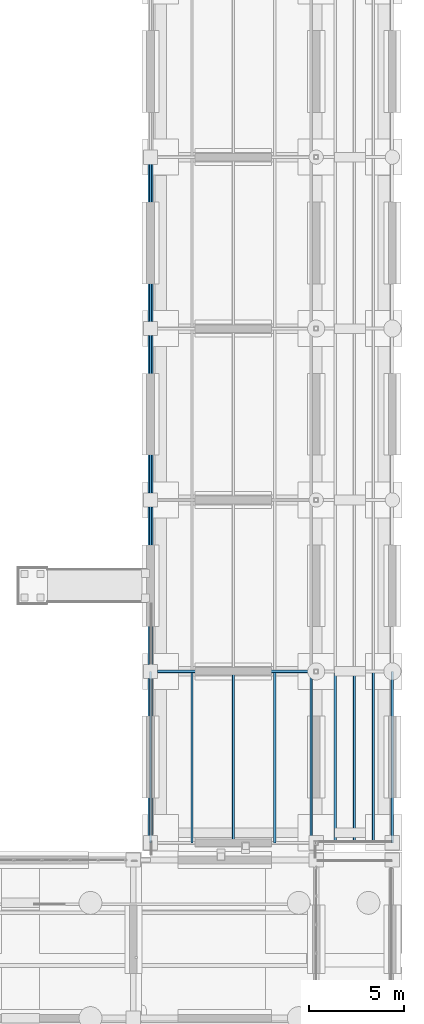
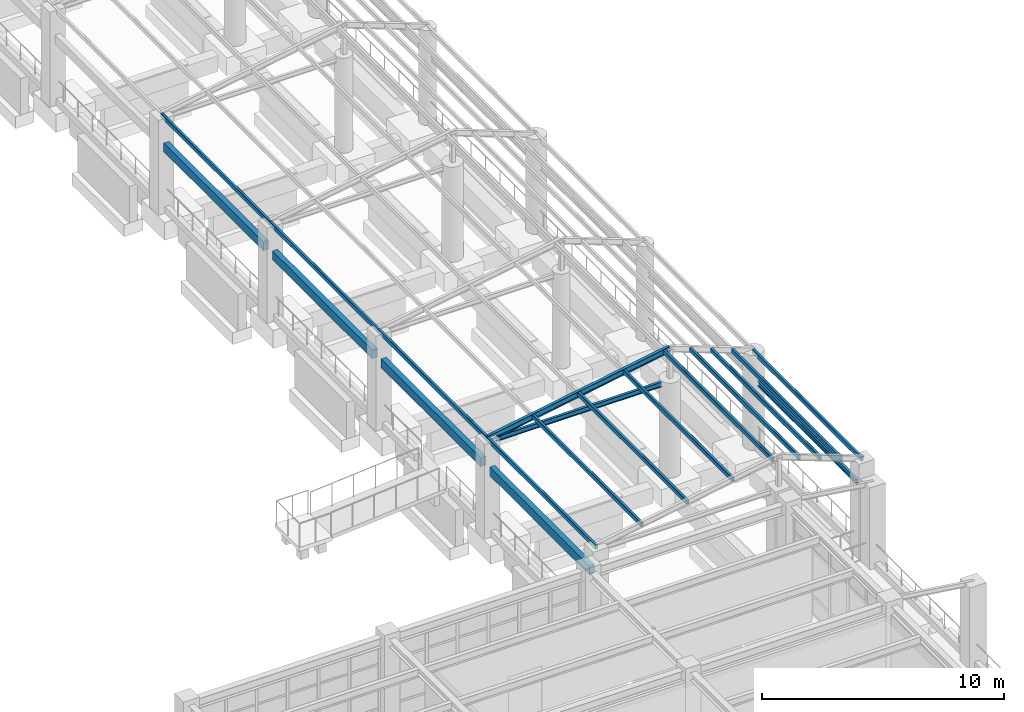
# One storey, part 58 of 111: 13 members, 6 beams.
"""IFC4 building model written with IfcOpenShell, lengths in metres."""

from ifc_helpers import new_model, si_unit, direction, frame, origin, origin_2d, place, context, subcontext, project, spatial, rectangle, hollow_rectangle, i_section, extrude, material, material_profile, profile_set, type_object, element, save


model = new_model("IFC4")

# Units and contexts
model_context = context("Model", 3, precision=1e-05, world=origin(), true_north=direction((0.0, 1.0)))
body_context = subcontext(model_context, "Body", "Model", "MODEL_VIEW")
ifc_project = project(units=[si_unit("LENGTHUNIT", "METRE"), si_unit("AREAUNIT", "SQUARE_METRE"), si_unit("VOLUMEUNIT", "CUBIC_METRE"), si_unit("PLANEANGLEUNIT", "RADIAN"), si_unit("MASSUNIT", "GRAM", prefix="KILO")], contexts=[model_context])

# Site, building, storey
site_placement = place(None, origin())
site = spatial("IfcSite", under=ifc_project, at=site_placement, CompositionType="ELEMENT")
building_placement = place(site_placement, origin())
building = spatial("IfcBuilding", under=site, at=building_placement, Name="Canglan Escarpment Cableway Terminal", CompositionType="ELEMENT")
storey_placement = place(building_placement, frame((0.0, 0.0, 4.800048828125)))
storey = spatial("IfcBuildingStorey", under=building, at=storey_placement, Name="L01", CompositionType="ELEMENT", Elevation=4.800048828125)

# Beams
ifc_material_1 = material(Name="Steel Q355B", Category="steel")
ifc_material_profile_1 = material_profile(ifc_material_1, i_section(OverallWidth=0.125, OverallDepth=0.25, WebThickness=0.006103515625, FlangeThickness=0.009033203125, FilletRadius=0.011962890625, at=origin_2d()), Name="HN 250x125x6x9")
ifc_profile_set_1 = profile_set([ifc_material_profile_1], Name="Steel Q355B")
beam_type_1 = type_object("IfcBeamType", Name="BM-CANOPY-HN250", PredefinedType="BEAM", material=ifc_profile_set_1)
beam_1_placement = place(storey_placement, frame((167.675048828125, 43.0, 4.599853515625), z_axis=(1.0, 0.0, 0.0), x_axis=(0.0, 1.0, 0.0)))
element("IfcBeam", 1, at=beam_1_placement, inside=storey, type_object=beam_type_1, Name="Colonnade tie beam RF-B3", PredefinedType="BEAM", context=body_context, shape_type="SweptSolid", body=[
    extrude(i_section(OverallWidth=0.125, OverallDepth=0.25, WebThickness=0.006103515625, FlangeThickness=0.009033203125, FilletRadius=0.011962890625, at=origin_2d()), origin(), (0.0, 0.0, 1.0), 7.949951171875),
])
ifc_material_profile_2 = material_profile(ifc_material_1, i_section(OverallWidth=0.125, OverallDepth=0.25, WebThickness=0.006103515625, FlangeThickness=0.009033203125, FilletRadius=0.011962890625, at=origin_2d()), Name="HN 250x125x6x9")
ifc_profile_set_2 = profile_set([ifc_material_profile_2], Name="Steel Q355B")
beam_type_2 = type_object("IfcBeamType", Name="LN-HN250", PredefinedType="LINTEL", material=ifc_profile_set_2)
beam_2_placement = place(storey_placement, frame((180.0, 34.3701171875, 3.349853515625), z_axis=(0.0, 1.0, 0.0), x_axis=(-1.0, 0.0, 0.0)))
element("IfcBeam", 2, at=beam_2_placement, inside=storey, type_object=beam_type_2, Name="Classical colonnade architrave lintel beam", PredefinedType="LINTEL", context=body_context, shape_type="SweptSolid", body=[
    extrude(i_section(OverallWidth=0.125, OverallDepth=0.25, WebThickness=0.006103515625, FlangeThickness=0.009033203125, FilletRadius=0.011962890625, at=origin_2d()), origin(), (0.0, 0.0, 1.0), 8.259765625),
])
ifc_material_2 = material(Name="Concrete C40", Category="concrete")
ifc_material_profile_3 = material_profile(ifc_material_2, rectangle(XDim=0.25, YDim=0.449951171875, at=origin_2d()), Name="RC 250x450")
ifc_profile_set_3 = profile_set([ifc_material_profile_3], Name="Concrete C40")
beam_type_3 = type_object("IfcBeamType", Name="LN-RC250x450", PredefinedType="LINTEL", material=ifc_profile_set_3)
for number, where, z_axis, x_axis, name in (
    (3, (167.300048828125, 34.3701171875, 3.349853515625), (0.0, 1.0, 0.0), (-1.0, 0.0, 0.0), "Classical colonnade architrave lintel beam"),
    (4, (167.300048828125, 43.3701171875, 3.349853515625), (0.0, 1.0, 0.0), (-1.0, 0.0, 0.0), "Classical colonnade architrave lintel beam"),
    (5, (167.300048828125, 52.3701171875, 3.349853515625), (0.0, 1.0, 0.0), (-1.0, 0.0, 0.0), "Classical colonnade architrave lintel beam"),
    (6, (167.300048828125, 61.3701171875, 3.349853515625), (0.0, 1.0, 0.0), (-1.0, 0.0, 0.0), "Classical colonnade architrave lintel beam"),
):
    element("IfcBeam", number, at=place(storey_placement, frame(where, z_axis=z_axis, x_axis=x_axis)), inside=storey, type_object=beam_type_3, Name=name, PredefinedType="LINTEL", context=body_context, shape_type="SweptSolid", body=[
        extrude(rectangle(XDim=0.25, YDim=0.449951171875, at=origin_2d()), origin(), (0.0, 0.0, 1.0), 8.259765625),
    ])

# Members
ifc_material_profile_4 = material_profile(ifc_material_1, i_section(OverallWidth=0.14990234375, OverallDepth=0.300048828125, WebThickness=0.006591796875, FlangeThickness=0.009033203125, FilletRadius=0.012939453125, at=origin_2d()), Name="HN 300x150x6.5x9")
ifc_profile_set_4 = profile_set([ifc_material_profile_4], Name="Steel Q355B")
member_type_1 = type_object("IfcMemberType", Name="MB-COL-RAFT-HN300", PredefinedType="RAFTER", material=ifc_profile_set_4)
member_placement = place(storey_placement, frame((167.300048828125, 43.0, 4.75), z_axis=(0.985459956077, 0.0, 0.169907842574), x_axis=(0.0, 1.0, 0.0)))
element("IfcMember", 7, at=member_placement, inside=storey, type_object=member_type_1, Name="Colonnade pitched rafter RF-R01", PredefinedType="RAFTER", context=body_context, shape_type="SweptSolid", body=[
    extrude(i_section(OverallWidth=0.14990234375, OverallDepth=0.300048828125, WebThickness=0.006591796875, FlangeThickness=0.009033203125, FilletRadius=0.012939453125, at=origin_2d()), origin(), (0.0, 0.0, 1.0), 8.828369140625),
])
ifc_material_profile_5 = material_profile(ifc_material_1, hollow_rectangle(XDim=0.1201171875, YDim=0.219970703125, WallThickness=0.006103515625, InnerFilletRadius=0.006103515625, OuterFilletRadius=0.011962890625, at=origin_2d()), Name="RHS 220x120x6")
ifc_profile_set_5 = profile_set([ifc_material_profile_5], Name="Steel Q355B")
member_type_2 = type_object("IfcMemberType", Name="MB-PAV-PUR-RHS220", PredefinedType="PURLIN", material=ifc_profile_set_5)
for number, where, z_axis, x_axis, name in (
    (8, (167.300048828125, 34.0, 4.719970703125), (0.0, 1.0, 0.0), (-1.0, 0.0, 0.0), "Colonnade canopy purlin PR-03"),
    (9, (167.300048828125, 43.0, 4.719970703125), (0.0, 1.0, 0.0), (-1.0, 0.0, 0.0), "Colonnade canopy purlin PR-03"),
    (10, (167.300048828125, 52.0, 4.719970703125), (0.0, 1.0, 0.0), (-1.0, 0.0, 0.0), "Colonnade canopy purlin PR-03"),
    (11, (167.300048828125, 61.0, 4.719970703125), (0.0, 1.0, 0.0), (-1.0, 0.0, 0.0), "Colonnade canopy purlin PR-03"),
    (12, (169.47509765625, 34.0, 5.094970703125), (0.0, 1.0, 0.0), (-1.0, 0.0, 0.0), "Colonnade canopy purlin PR-03"),
    (13, (171.64990234375, 34.0, 5.469970703125), (0.0, 1.0, 0.0), (-1.0, 0.0, 0.0), "Colonnade canopy purlin PR-03"),
    (14, (173.824951171875, 34.0, 5.844970703125), (0.0, 1.0, 0.0), (-1.0, 0.0, 0.0), "Colonnade canopy purlin PR-03"),
    (15, (175.739013671875, 34.0, 6.175048828125), (0.0, 1.0, 0.0), (-1.0, 0.0, 0.0), "Colonnade canopy purlin PR-03"),
    (16, (177.0, 34.0, 5.844970703125), (0.0, 1.0, 0.0), (-1.0, 0.0, 0.0), "Colonnade canopy purlin PR-03"),
    (17, (178.0, 34.0, 5.469970703125), (0.0, 1.0, 0.0), (-1.0, 0.0, 0.0), "Colonnade canopy purlin PR-03"),
    (18, (179.0, 34.0, 5.094970703125), (0.0, 1.0, 0.0), (-1.0, 0.0, 0.0), "Colonnade canopy purlin PR-03"),
    (19, (180.0, 34.0, 4.719970703125), (0.0, 1.0, 0.0), (-1.0, 0.0, 0.0), "Colonnade canopy purlin PR-03"),
):
    element("IfcMember", number, at=place(storey_placement, frame(where, z_axis=z_axis, x_axis=x_axis)), inside=storey, type_object=member_type_2, Name=name, PredefinedType="PURLIN", context=body_context, shape_type="SweptSolid", body=[
        extrude(hollow_rectangle(XDim=0.1201171875, YDim=0.219970703125, WallThickness=0.006103515625, InnerFilletRadius=0.006103515625, OuterFilletRadius=0.011962890625, at=origin_2d()), origin(), (0.0, 0.0, 1.0), 9.0),
    ])

save(model, "model.ifc")
